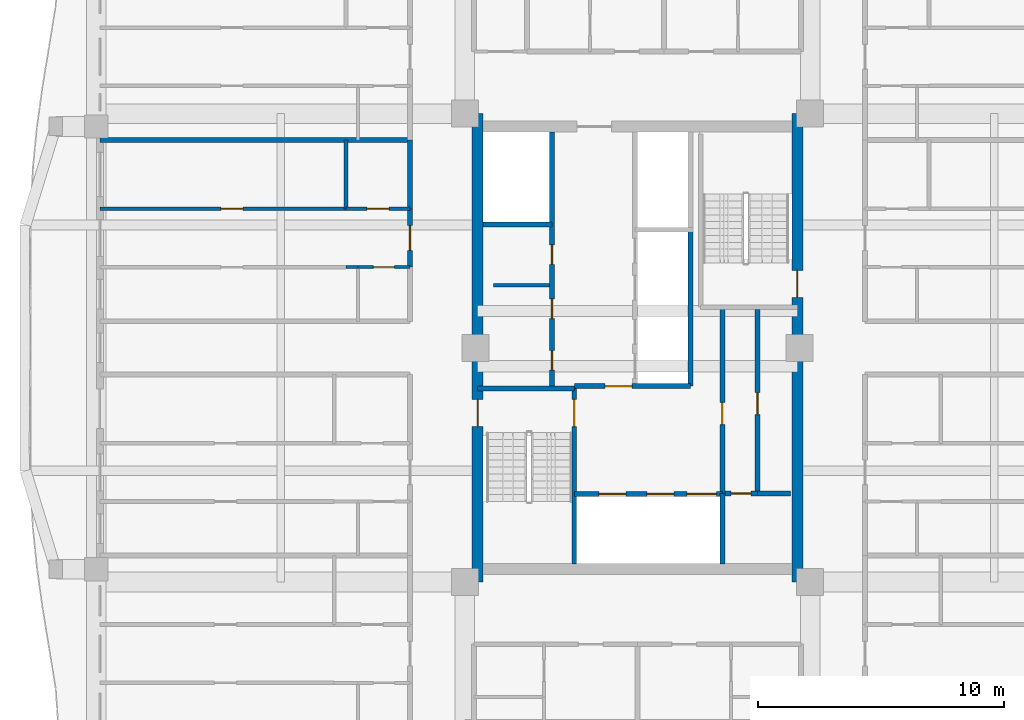
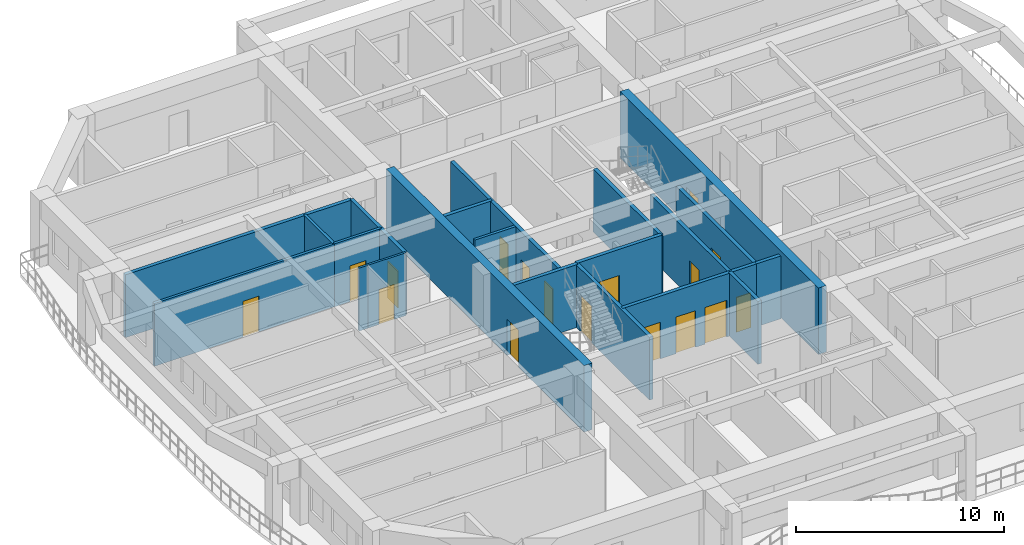
# One storey, part 4 of 15: 23 walls, 17 doors, 17 openings.
"""IFC4 building model written with IfcOpenShell, lengths in metres."""

import ifcopenshell
import ifcopenshell.guid

model = None  # the IFC model being written
_history = None  # IfcOwnerHistory: only IFC2X3 demands one
_inside = {}  # id of a spatial element -> (the spatial element, [elements in it])
_under = {}  # id of a project, library or spatial element -> (it, [spatial elements below it])
_declared = {}  # id of a project -> (the project, [libraries it declares])
_typed = {}  # id of a type object -> (the type object, [elements of that type])
_made_of = {}  # id of a material, layer set ... -> (it, [elements and type objects made of it])


def new_model(schema):
    """Start an empty IFC model of exactly this schema.

    Asked for "IFC4X3", IfcOpenShell would pick the latest addendum, in which some entities
    have other attributes; the version numbers below select the first issue.
    IFC2X3 requires an IfcOwnerHistory on every rooted entity: one is made here for all.
    """
    global model, _history
    if schema == "IFC4X3":
        model = ifcopenshell.file(schema_version=(4, 3, 0, 0))
    else:
        model = ifcopenshell.file(schema=schema)
    _inside.clear()
    _under.clear()
    _declared.clear()
    _typed.clear()
    _made_of.clear()
    _history = None
    if model.schema == "IFC2X3":
        org = make("IfcOrganization", Name="unknown")
        user = make(
            "IfcPersonAndOrganization",
            ThePerson=make("IfcPerson", FamilyName="unknown"),
            TheOrganization=org,
        )
        app = make(
            "IfcApplication",
            ApplicationDeveloper=org,
            Version="unknown",
            ApplicationFullName="unknown",
            ApplicationIdentifier="unknown",
        )
        _history = make(
            "IfcOwnerHistory",
            OwningUser=user,
            OwningApplication=app,
            ChangeAction="ADDED",
            CreationDate=0,
        )
    return model


def make(cls, **values):
    """One entity of the class cls with the attributes given. An attribute that is None is left unset."""
    return model.create_entity(
        cls, **{name: value for name, value in values.items() if value is not None}
    )


def rooted(cls, **values):
    """An entity with a GlobalId (a new one), such as an element, a storey or a relation."""
    return make(cls, GlobalId=ifcopenshell.guid.new(), OwnerHistory=_history, **values)


def si_unit(unit_type, name, prefix=None):
    """IfcSIUnit, for example si_unit("LENGTHUNIT", "METRE", prefix="MILLI")."""
    return make("IfcSIUnit", UnitType=unit_type, Prefix=prefix, Name=name)


def assignment(units):
    """IfcUnitAssignment: the units of a project."""
    return None if units is None else make("IfcUnitAssignment", Units=units)


def point(xyz):
    """IfcCartesianPoint."""
    return None if xyz is None else make("IfcCartesianPoint", Coordinates=xyz)


def direction(xyz):
    """IfcDirection."""
    return None if xyz is None else make("IfcDirection", DirectionRatios=xyz)


def frame(location, z_axis=None, x_axis=None):
    """IfcAxis2Placement3D, a coordinate frame: its origin and axes. An axis left out is left unset."""
    return make(
        "IfcAxis2Placement3D",
        Location=point(location),
        Axis=direction(z_axis),
        RefDirection=direction(x_axis),
    )


def frame_2d(location, x_axis=None):
    """IfcAxis2Placement2D, a coordinate frame in the plane: its origin and x axis."""
    return make(
        "IfcAxis2Placement2D", Location=point(location), RefDirection=direction(x_axis)
    )


def origin():
    """The frame at (0, 0, 0) with its axes left unset."""
    return frame((0.0, 0.0, 0.0))


def place(relative_to, where):
    """IfcLocalPlacement: puts the frame where relative to a parent placement (None: the world)."""
    return make(
        "IfcLocalPlacement", PlacementRelTo=relative_to, RelativePlacement=where
    )


def context(
    kind, dimensions, precision=None, world=None, true_north=None, identifier=None
):
    """IfcGeometricRepresentationContext, for example the 3D "Model" context."""
    return make(
        "IfcGeometricRepresentationContext",
        ContextIdentifier=identifier,
        ContextType=kind,
        CoordinateSpaceDimension=dimensions,
        Precision=precision,
        WorldCoordinateSystem=world,
        TrueNorth=true_north,
    )


def subcontext(parent, identifier, kind, view, scale=None):
    """IfcGeometricRepresentationSubContext, for example "Body" below "Model"."""
    return make(
        "IfcGeometricRepresentationSubContext",
        ContextIdentifier=identifier,
        ContextType=kind,
        ParentContext=parent,
        TargetScale=scale,
        TargetView=view,
    )


def project(units=None, contexts=None):
    """IfcProject with its units and contexts."""
    return rooted(
        "IfcProject",
        Name="project",
        RepresentationContexts=contexts,
        UnitsInContext=assignment(units),
    )


def spatial(cls, under=None, at=None, **own):
    """A site, building, storey or space (cls), placed at a placement, below another one or the project."""
    s = rooted(cls, ObjectPlacement=at, **own)
    if under is not None:
        _under.setdefault(under.id(), (under, []))[1].append(s)
    return s


def profile(cls, at=None, kind="AREA", **sizes):
    """A parametric profile (cls). Its sizes go by their IFC names, for example OverallWidth=200.0."""
    return make(cls, ProfileType=kind, Position=at, **sizes)


def rectangle(**sizes):
    """IfcRectangleProfileDef."""
    return profile("IfcRectangleProfileDef", **sizes)


def extrude(swept, where, along, depth):
    """IfcExtrudedAreaSolid: the profile swept, set in the frame where, extruded along a direction by depth."""
    return make(
        "IfcExtrudedAreaSolid",
        SweptArea=swept,
        Position=where,
        ExtrudedDirection=direction(along),
        Depth=depth,
    )


def shape(context_of_items, identifier, shape_type, items):
    """IfcShapeRepresentation: the items that make up one representation, for example the "Body"."""
    return make(
        "IfcShapeRepresentation",
        ContextOfItems=context_of_items,
        RepresentationIdentifier=identifier,
        RepresentationType=shape_type,
        Items=items,
    )


def source(mapping_origin, context_of_items, identifier, shape_type, items):
    """IfcRepresentationMap: a shape defined once, which mapped items show again and again."""
    return make(
        "IfcRepresentationMap",
        MappingOrigin=mapping_origin,
        MappedRepresentation=shape(context_of_items, identifier, shape_type, items),
    )


def transform(
    local_origin,
    x_axis=None,
    y_axis=None,
    z_axis=None,
    scale=None,
    scale2=None,
    scale3=None,
    uniform=True,
):
    """IfcCartesianTransformationOperator3D, or its non-uniform kind. x_axis, y_axis, z_axis: its Axis1, 2, 3."""
    if uniform:
        return make(
            "IfcCartesianTransformationOperator3D",
            Axis1=direction(x_axis),
            Axis2=direction(y_axis),
            LocalOrigin=point(local_origin),
            Scale=scale,
            Axis3=direction(z_axis),
        )
    return make(
        "IfcCartesianTransformationOperator3DnonUniform",
        Axis1=direction(x_axis),
        Axis2=direction(y_axis),
        LocalOrigin=point(local_origin),
        Scale=scale,
        Axis3=direction(z_axis),
        Scale2=scale2,
        Scale3=scale3,
    )


def mapped(mapping_source, mapping_target):
    """IfcMappedItem: shows the shape of a source again, moved by a transform."""
    return make(
        "IfcMappedItem", MappingSource=mapping_source, MappingTarget=mapping_target
    )


def material(Name=None, Category=None):
    """IfcMaterial."""
    return make("IfcMaterial", Name=Name, Category=Category)


def layer(
    of_material, thickness, ventilated=None, Name=None, Category=None, Priority=None
):
    """IfcMaterialLayer: one layer of a wall or slab, of a material (None: an air gap)."""
    return make(
        "IfcMaterialLayer",
        Material=of_material,
        LayerThickness=thickness,
        IsVentilated=ventilated,
        Name=Name,
        Category=Category,
        Priority=Priority,
    )


def layer_set(layers, Name=None):
    """IfcMaterialLayerSet."""
    return make("IfcMaterialLayerSet", MaterialLayers=layers, LayerSetName=Name)


def made_of(thing, what):
    """Note that an element or type object is made of a material, layer set ...; save() writes the relation."""
    if what is not None:
        _made_of.setdefault(what.id(), (what, []))[1].append(thing)
    return thing


def type_object(cls, material=None, **own):
    """A type object (cls), such as IfcWallType, which elements share."""
    return made_of(rooted(cls, **own), material)


def element(
    cls,
    number,
    at=None,
    inside=None,
    cuts=None,
    type_object=None,
    material=None,
    context=None,
    identifier="Body",
    shape_type=None,
    held_by="IfcProductDefinitionShape",
    body=None,
    shapes=None,
    **own,
):
    """One element of the class cls, such as IfcWall. Its Tag is "e" and its number.

    at: its placement. inside: the storey or other place that contains it. cuts: it is an
    opening in that element (IfcRelVoidsElement). A single representation is given by context,
    identifier, shape_type and body (its items); several are given by shapes. held_by: the class
    of the entity that holds the representations. save() writes the other relations.
    """
    e = rooted(cls, Tag="e%d" % number, ObjectPlacement=at, **own)
    if body is not None:
        shapes = [shape(context, identifier, shape_type, body)]
    if shapes is not None:
        e.Representation = make(held_by, Representations=shapes)
    if inside is not None:
        _inside.setdefault(inside.id(), (inside, []))[1].append(e)
    if cuts is not None:
        rooted(
            "IfcRelVoidsElement", RelatingBuildingElement=cuts, RelatedOpeningElement=e
        )
    if type_object is not None:
        _typed.setdefault(type_object.id(), (type_object, []))[1].append(e)
    return made_of(e, material)


def fill(opening, filler):
    """IfcRelFillsElement: the door or window that sits in an opening."""
    return rooted(
        "IfcRelFillsElement",
        RelatingOpeningElement=opening,
        RelatedBuildingElement=filler,
    )


def aggregate(whole, parts):
    """IfcRelAggregates: a whole, such as a stair, and the parts it consists of."""
    return rooted("IfcRelAggregates", RelatingObject=whole, RelatedObjects=parts)


def save(model, path):
    """Write the relations noted so far, then the file.

    IfcRelAggregates (storeys below a building ...), IfcRelContainedInSpatialStructure (elements
    in a storey), IfcRelDefinesByType, IfcRelAssociatesMaterial and IfcRelDeclares: one each for
    every whole, place, type object, material and project.
    """
    for whole, parts in _under.values():
        aggregate(whole, parts)
    for where, things in _inside.values():
        rooted(
            "IfcRelContainedInSpatialStructure",
            RelatedElements=things,
            RelatingStructure=where,
        )
    for kind, things in _typed.values():
        rooted("IfcRelDefinesByType", RelatedObjects=things, RelatingType=kind)
    for what, things in _made_of.values():
        rooted("IfcRelAssociatesMaterial", RelatedObjects=things, RelatingMaterial=what)
    for by, libraries in _declared.values():
        rooted("IfcRelDeclares", RelatingContext=by, RelatedDefinitions=libraries)
    model.write(path)


model = new_model("IFC4")

# Units and contexts
model_context = context("Model", 3, precision=1e-05, world=origin(), true_north=direction((0.0, 1.0)))
body_context = subcontext(model_context, "Body", "Model", "MODEL_VIEW")
ifc_project = project(units=[si_unit("LENGTHUNIT", "METRE"), si_unit("AREAUNIT", "SQUARE_METRE"), si_unit("VOLUMEUNIT", "CUBIC_METRE"), si_unit("PLANEANGLEUNIT", "RADIAN"), si_unit("MASSUNIT", "GRAM", prefix="KILO")], contexts=[model_context])

# Site, building, storey
site_placement = place(None, origin())
site = spatial("IfcSite", under=ifc_project, at=site_placement, CompositionType="ELEMENT")
building_placement = place(site_placement, origin())
building = spatial("IfcBuilding", under=site, at=building_placement, Name="Saelheon Loggia Tower", CompositionType="ELEMENT")
storey_placement = place(building_placement, frame((0.0, 0.0, 159.10009765625)))
storey = spatial("IfcBuildingStorey", under=building, at=storey_placement, Name="L50", CompositionType="ELEMENT", Elevation=159.10009765625)

# Wall, opening, door
ifc_material_1 = material(Name="Concrete C45/55", Category="concrete")
ifc_layer_1 = layer(ifc_material_1, 0.449951171875)
ifc_layer_set_1 = layer_set([ifc_layer_1], Name="Concrete C45/55")
wall_type_1 = type_object("IfcWallType", Name="Wall_CoreShear_450", PredefinedType="SHEAR", material=ifc_layer_set_1)
wall_1_placement = place(storey_placement, frame((31.5, 17.47998046875, 0.0), z_axis=(0.0, 0.0, 1.0), x_axis=(0.0, 1.0, 0.0)))
wall_1 = element("IfcWall", 1, at=wall_1_placement, inside=storey, type_object=wall_type_1, Name="L50 Core Shear Wall West", PredefinedType="SHEAR", context=body_context, shape_type="SweptSolid", body=[
    extrude(rectangle(XDim=19.0400390625, YDim=0.449951171875, at=frame_2d((9.52001953125, 0.0))), origin(), (0.0, 0.0, 1.0), 3.89990234375),
])
opening_1_placement = place(wall_1_placement, frame((6.320068359375, 0.0, 0.0)))
opening_1 = element("IfcOpeningElement", 2, at=opening_1_placement, cuts=wall_1, Name="Opening D-FD2", PredefinedType="OPENING", context=body_context, shape_type="SweptSolid", body=[
    extrude(rectangle(XDim=1.10009765625, YDim=2.14990234375, at=frame_2d((0.550048828125, 1.074951171875))), frame((0.0, 0.237060546875, 0.0), z_axis=(0.0, -1.0, 0.0), x_axis=(1.0, 0.0, 0.0)), (0.0, 0.0, 1.0), 0.473876953125),
])
ifc_material_2 = material(Name="Galvanised Steel Fire Door", Category="steel")
door_type_1 = type_object("IfcDoorType", Name="Door_Fire_FD60_1100", OperationType="NOTDEFINED", PredefinedType="DOOR", material=ifc_material_2)
shared_shape_1 = source(origin(), body_context, "Body", "SweptSolid", [
    extrude(rectangle(XDim=1.10009765625, YDim=2.14990234375, at=frame_2d((0.550048828125, 1.074951171875))), frame((0.0, 0.02490234375, 0.0), z_axis=(0.0, -1.0, 0.0), x_axis=(1.0, 0.0, 0.0)), (0.0, 0.0, 1.0), 0.050048828125),
])
door_1_placement = place(opening_1_placement, origin())
door_1 = element("IfcDoor", 3, at=door_1_placement, inside=storey, type_object=door_type_1, Name="L50 Stair ST1 Corridor Door", OperationType="SINGLE_SWING_LEFT", OverallHeight=2.14990234375, OverallWidth=1.10009765625, PredefinedType="DOOR", context=body_context, shape_type="MappedRepresentation", body=[
    mapped(shared_shape_1, transform((0.0, 0.0, 0.0), scale=1.0)),
])
fill(opening_1, door_1)

wall_2_placement = place(storey_placement, frame((44.5, 17.47998046875, 0.0), z_axis=(0.0, 0.0, 1.0), x_axis=(0.0, 1.0, 0.0)))
wall_2 = element("IfcWall", 4, at=wall_2_placement, inside=storey, type_object=wall_type_1, Name="L50 Core Shear Wall East", PredefinedType="SHEAR", context=body_context, shape_type="SweptSolid", body=[
    extrude(rectangle(XDim=19.0400390625, YDim=0.449951171875, at=frame_2d((9.52001953125, 0.0))), origin(), (0.0, 0.0, 1.0), 3.89990234375),
])
opening_2_placement = place(wall_2_placement, frame((12.670166015625, 0.0, 0.0), z_axis=(0.0, 0.0, 1.0), x_axis=(-1.0, 0.0, 0.0)))
opening_2 = element("IfcOpeningElement", 5, at=opening_2_placement, cuts=wall_2, Name="Opening D-FD2", PredefinedType="OPENING", context=body_context, shape_type="SweptSolid", body=[
    extrude(rectangle(XDim=1.10009765625, YDim=2.14990234375, at=frame_2d((0.550048828125, 1.074951171875))), frame((0.0, 0.237060546875, 0.0), z_axis=(0.0, -1.0, 0.0), x_axis=(1.0, 0.0, 0.0)), (0.0, 0.0, 1.0), 0.473876953125),
])
door_2_placement = place(opening_2_placement, origin())
door_2 = element("IfcDoor", 6, at=door_2_placement, inside=storey, type_object=door_type_1, Name="L50 Stair ST2 Corridor Door", OperationType="SINGLE_SWING_RIGHT", OverallHeight=2.14990234375, OverallWidth=1.10009765625, PredefinedType="DOOR", context=body_context, shape_type="MappedRepresentation", body=[
    mapped(shared_shape_1, transform((0.0, 0.0, 0.0), scale=1.0)),
])
fill(opening_2, door_2)

# Walls
ifc_material_3 = material(Name="Lightweight Autoclaved Aerated Concrete Block and Acoustic Gypsum", Category="concrete")
ifc_layer_2 = layer(ifc_material_3, 0.14990234375)
ifc_layer_set_2 = layer_set([ifc_layer_2], Name="Lightweight Autoclaved Aerated Concrete Block and Acoustic Gypsum")
wall_type_2 = type_object("IfcWallType", Name="Wall_Part_150", PredefinedType="PARTITIONING", material=ifc_layer_set_2)
wall_3_placement = place(storey_placement, frame((32.14990234375, 29.550048828125, 0.0), z_axis=(0.0, 0.0, 1.0), x_axis=(1.0, 0.0, 0.0)))
element("IfcWall", 7, at=wall_3_placement, inside=storey, type_object=wall_type_2, Name="L50 Freed Core Partition PL1", PredefinedType="PARTITIONING", context=body_context, shape_type="SweptSolid", body=[
    extrude(rectangle(XDim=2.27001953125, YDim=0.14990234375, at=frame_2d((1.135009765625, 0.0))), origin(), (0.0, 0.0, 1.0), 3.68994140625),
])
wall_4_placement = place(storey_placement, frame((26.14990234375, 32.6494140625, 0.0), z_axis=(0.0, 0.0, 1.0), x_axis=(0.0, 1.0, 0.0)))
element("IfcWall", 8, at=wall_4_placement, inside=storey, type_object=wall_type_2, Name="L50 WN Partition V07", PredefinedType="PARTITIONING", context=body_context, shape_type="SweptSolid", body=[
    extrude(rectangle(XDim=2.800537109375, YDim=0.14990234375, at=frame_2d((1.400390625, 0.0))), origin(), (0.0, 0.0, 1.0), 3.68994140625),
])

# Wall, opening, door
wall_5_placement = place(storey_placement, frame((28.75, 32.6494140625, 0.0), z_axis=(0.0, 0.0, 1.0), x_axis=(-1.0, 0.0, 0.0)))
wall_5 = element("IfcWall", 9, at=wall_5_placement, inside=storey, type_object=wall_type_2, Name="L50 WN Partition U11", PredefinedType="PARTITIONING", context=body_context, shape_type="SweptSolid", body=[
    extrude(rectangle(XDim=2.60009765625, YDim=0.14990234375, at=frame_2d((1.300048828125, 0.0))), origin(), (0.0, 0.0, 1.0), 3.68994140625),
])
opening_3_placement = place(wall_5_placement, frame((0.85009765625, 0.0, 0.0)))
opening_3 = element("IfcOpeningElement", 10, at=opening_3_placement, cuts=wall_5, Name="Opening D-IN2", PredefinedType="OPENING", context=body_context, shape_type="SweptSolid", body=[
    extrude(rectangle(XDim=0.89990234375, YDim=2.10009765625, at=frame_2d((0.449951171875, 1.050048828125))), frame((0.0, 0.0869140625, 0.0), z_axis=(0.0, -1.0, 0.0), x_axis=(1.0, 0.0, 0.0)), (0.0, 0.0, 1.0), 0.173828125),
])
ifc_material_4 = material(Name="Engineered Oak Flush Door", Category="timber")
door_type_2 = type_object("IfcDoorType", Name="Door_Int_900", OperationType="NOTDEFINED", PredefinedType="DOOR", material=ifc_material_4)
shared_shape_2 = source(origin(), body_context, "Body", "SweptSolid", [
    extrude(rectangle(XDim=0.89990234375, YDim=2.10009765625, at=frame_2d((0.449951171875, 1.050048828125))), frame((0.0, 0.02490234375, 0.0), z_axis=(0.0, -1.0, 0.0), x_axis=(1.0, 0.0, 0.0)), (0.0, 0.0, 1.0), 0.050048828125),
])
door_3_placement = place(opening_3_placement, origin())
door_3 = element("IfcDoor", 11, at=door_3_placement, inside=storey, type_object=door_type_2, Name="Unit U07 Dressing Closet Door", OperationType="SINGLE_SWING_LEFT", OverallHeight=2.10009765625, OverallWidth=0.89990234375, PredefinedType="DOOR", context=body_context, shape_type="MappedRepresentation", body=[
    mapped(shared_shape_2, transform((0.0, 0.0, 0.0), scale=1.0)),
])
fill(opening_3, door_3)

wall_6_placement = place(storey_placement, frame((26.14990234375, 32.6494140625, 0.0), z_axis=(0.0, 0.0, 1.0), x_axis=(-1.0, 0.0, 0.0)))
wall_6 = element("IfcWall", 12, at=wall_6_placement, inside=storey, type_object=wall_type_2, Name="L50 WN Partition U12", PredefinedType="PARTITIONING", context=body_context, shape_type="SweptSolid", body=[
    extrude(rectangle(XDim=10.0, YDim=0.14990234375, at=frame_2d((5.0, 0.0))), origin(), (0.0, 0.0, 1.0), 3.68994140625),
])
opening_4_placement = place(wall_6_placement, frame((4.19091796875, 0.0, 0.0)))
opening_4 = element("IfcOpeningElement", 13, at=opening_4_placement, cuts=wall_6, Name="Opening D-IN2", PredefinedType="OPENING", context=body_context, shape_type="SweptSolid", body=[
    extrude(rectangle(XDim=0.89990234375, YDim=2.10009765625, at=frame_2d((0.449951171875, 1.050048828125))), frame((0.0, 0.0869140625, 0.0), z_axis=(0.0, -1.0, 0.0), x_axis=(1.0, 0.0, 0.0)), (0.0, 0.0, 1.0), 0.173828125),
])
door_4_placement = place(opening_4_placement, origin())
door_4 = element("IfcDoor", 14, at=door_4_placement, inside=storey, type_object=door_type_2, Name="Unit U07 Bedroom 1 Door", OperationType="SINGLE_SWING_RIGHT", OverallHeight=2.10009765625, OverallWidth=0.89990234375, PredefinedType="DOOR", context=body_context, shape_type="MappedRepresentation", body=[
    mapped(shared_shape_2, transform((0.0, 0.0, 0.0), scale=1.0)),
])
fill(opening_4, door_4)

ifc_material_5 = material(Name="Double Acoustic Stud and Fireboard Partition", Category="gypsum")
ifc_layer_3 = layer(ifc_material_5, 0.199951171875)
ifc_layer_set_3 = layer_set([ifc_layer_3], Name="Double Acoustic Stud and Fireboard Partition")
wall_type_3 = type_object("IfcWallType", Name="Wall_Party_200", PredefinedType="PARTITIONING", material=ifc_layer_set_3)
wall_7_placement = place(storey_placement, frame((28.75, 30.280029296875, 0.0), z_axis=(0.0, 0.0, 1.0), x_axis=(0.0, 1.0, 0.0)))
wall_7 = element("IfcWall", 15, at=wall_7_placement, inside=storey, type_object=wall_type_3, Name="L50 WN Partition V04", PredefinedType="PARTITIONING", context=body_context, shape_type="SweptSolid", body=[
    extrude(rectangle(XDim=2.369384765625, YDim=0.199951171875, at=frame_2d((1.1845703125, 0.0))), origin(), (0.0, 0.0, 1.0), 3.68994140625),
])
opening_5_placement = place(wall_7_placement, frame((0.684814453125, 0.0, 0.0)))
opening_5 = element("IfcOpeningElement", 16, at=opening_5_placement, cuts=wall_7, Name="Opening D-FD1", PredefinedType="OPENING", context=body_context, shape_type="SweptSolid", body=[
    extrude(rectangle(XDim=1.0, YDim=2.14990234375, at=frame_2d((0.5, 1.074951171875))), frame((0.0, 0.112060546875, 0.0), z_axis=(0.0, -1.0, 0.0), x_axis=(1.0, 0.0, 0.0)), (0.0, 0.0, 1.0), 0.223876953125),
])
ifc_material_6 = material(Name="Fire-Rated Engineered Timber Entrance Door", Category="wood")
door_type_3 = type_object("IfcDoorType", Name="Door_Flat_FD30S", OperationType="NOTDEFINED", PredefinedType="DOOR", material=ifc_material_6)
shared_shape_3 = source(origin(), body_context, "Body", "SweptSolid", [
    extrude(rectangle(XDim=1.0, YDim=2.14990234375, at=frame_2d((0.5, 1.074951171875))), frame((0.0, 0.02490234375, 0.0), z_axis=(0.0, -1.0, 0.0), x_axis=(1.0, 0.0, 0.0)), (0.0, 0.0, 1.0), 0.050048828125),
])
door_5_placement = place(opening_5_placement, origin())
door_5 = element("IfcDoor", 17, at=door_5_placement, inside=storey, type_object=door_type_3, Name="Unit U07 Entrance Door", OperationType="SINGLE_SWING_RIGHT", OverallHeight=2.14990234375, OverallWidth=1.0, PredefinedType="DOOR", context=body_context, shape_type="MappedRepresentation", body=[
    mapped(shared_shape_3, transform((0.0, 0.0, 0.0), scale=1.0)),
])
fill(opening_5, door_5)

# Walls
wall_8_placement = place(storey_placement, frame((28.75, 32.6494140625, 0.0), z_axis=(0.0, 0.0, 1.0), x_axis=(0.0, 1.0, 0.0)))
element("IfcWall", 18, at=wall_8_placement, inside=storey, type_object=wall_type_3, Name="L50 WN Partition V05", PredefinedType="PARTITIONING", context=body_context, shape_type="SweptSolid", body=[
    extrude(rectangle(XDim=2.800537109375, YDim=0.199951171875, at=frame_2d((1.400390625, 0.0))), origin(), (0.0, 0.0, 1.0), 3.68994140625),
])
wall_9_placement = place(storey_placement, frame((28.75, 35.449951171875, 0.0), z_axis=(0.0, 0.0, 1.0), x_axis=(-1.0, 0.0, 0.0)))
element("IfcWall", 19, at=wall_9_placement, inside=storey, type_object=wall_type_3, Name="L50 WN Partition U13", PredefinedType="PARTITIONING", context=body_context, shape_type="SweptSolid", body=[
    extrude(rectangle(XDim=12.60009765625, YDim=0.199951171875, at=frame_2d((6.300048828125, 0.0))), origin(), (0.0, 0.0, 1.0), 3.68994140625),
])

# Wall, opening, door
ifc_material_7 = material(Name="Concrete C40/50", Category="concrete")
ifc_layer_4 = layer(ifc_material_7, 0.199951171875)
ifc_layer_set_4 = layer_set([ifc_layer_4], Name="Concrete C40/50")
wall_type_4 = type_object("IfcWallType", Name="Wall_Shaft_200", PredefinedType="PARTITIONING", material=ifc_layer_set_4)
wall_10_placement = place(storey_placement, frame((41.550048828125, 21.080078125, 0.0), z_axis=(0.0, 0.0, 1.0), x_axis=(1.0, 0.0, 0.0)))
wall_10 = element("IfcWall", 20, at=wall_10_placement, inside=storey, type_object=wall_type_4, Name="CW-BOH-L50-HS", PredefinedType="PARTITIONING", context=body_context, shape_type="SweptSolid", body=[
    extrude(rectangle(XDim=1.329833984375, YDim=0.199951171875, at=frame_2d((0.6650390625, 0.0))), origin(), (0.0, 0.0, 1.0), 3.68994140625),
])
opening_6_placement = place(wall_10_placement, frame((0.260009765625, 0.0, 0.0)))
opening_6 = element("IfcOpeningElement", 21, at=opening_6_placement, cuts=wall_10, Name="Opening D-ST1", PredefinedType="OPENING", context=body_context, shape_type="SweptSolid", body=[
    extrude(rectangle(XDim=0.800048828125, YDim=2.050048828125, at=frame_2d((0.39990234375, 1.02490234375))), frame((0.0, 0.112060546875, 0.0), z_axis=(0.0, -1.0, 0.0), x_axis=(1.0, 0.0, 0.0)), (0.0, 0.0, 1.0), 0.223876953125),
])
ifc_material_8 = material(Name="Powder-Coated Steel Store Door", Category="steel")
door_type_4 = type_object("IfcDoorType", Name="Door_Store_800", OperationType="NOTDEFINED", PredefinedType="DOOR", material=ifc_material_8)
shared_shape_4 = source(origin(), body_context, "Body", "SweptSolid", [
    extrude(rectangle(XDim=0.800048828125, YDim=2.050048828125, at=frame_2d((0.39990234375, 1.02490234375))), frame((0.0, 0.02490234375, 0.0), z_axis=(0.0, -1.0, 0.0), x_axis=(1.0, 0.0, 0.0)), (0.0, 0.0, 1.0), 0.050048828125),
])
door_6_placement = place(opening_6_placement, origin())
door_6 = element("IfcDoor", 22, at=door_6_placement, inside=storey, type_object=door_type_4, Name="L50 Electrical Riser Door", OperationType="SINGLE_SWING_LEFT", OverallHeight=2.050048828125, OverallWidth=0.800048828125, PredefinedType="DOOR", context=body_context, shape_type="MappedRepresentation", body=[
    mapped(shared_shape_4, transform((0.0, 0.0, 0.0), scale=1.0)),
])
fill(opening_6, door_6)

# Wall
wall_11_placement = place(storey_placement, frame((42.8798828125, 21.080078125, 0.0), z_axis=(0.0, 0.0, 1.0), x_axis=(1.0, 0.0, 0.0)))
element("IfcWall", 23, at=wall_11_placement, inside=storey, type_object=wall_type_4, Name="CW-BOH-L50-HS2", PredefinedType="PARTITIONING", context=body_context, shape_type="SweptSolid", body=[
    extrude(rectangle(XDim=1.340087890625, YDim=0.199951171875, at=frame_2d((0.669921875, 0.0))), origin(), (0.0, 0.0, 1.0), 3.68994140625),
])

# Wall, opening, door
wall_12_placement = place(storey_placement, frame((42.8798828125, 21.080078125, 0.0), z_axis=(0.0, 0.0, 1.0), x_axis=(0.0, 1.0, 0.0)))
wall_12 = element("IfcWall", 24, at=wall_12_placement, inside=storey, type_object=wall_type_4, Name="CW-BOH-L50-VS", PredefinedType="PARTITIONING", context=body_context, shape_type="SweptSolid", body=[
    extrude(rectangle(XDim=7.469970703125, YDim=0.199951171875, at=frame_2d((3.73486328125, 0.0))), origin(), (0.0, 0.0, 1.0), 3.68994140625),
])
opening_7_placement = place(wall_12_placement, frame((3.199951171875, 0.0, 0.0)))
opening_7 = element("IfcOpeningElement", 25, at=opening_7_placement, cuts=wall_12, Name="Opening D-RS1", PredefinedType="OPENING", context=body_context, shape_type="SweptSolid", body=[
    extrude(rectangle(XDim=0.89990234375, YDim=2.10009765625, at=frame_2d((0.449951171875, 1.050048828125))), frame((0.0, 0.112060546875, 0.0), z_axis=(0.0, -1.0, 0.0), x_axis=(1.0, 0.0, 0.0)), (0.0, 0.0, 1.0), 0.223876953125),
])
ifc_material_9 = material(Name="Galvanised Steel Riser Access Door", Category="steel")
door_type_5 = type_object("IfcDoorType", Name="Door_Riser_FD60", OperationType="NOTDEFINED", PredefinedType="DOOR", material=ifc_material_9)
door_7_placement = place(opening_7_placement, origin())
door_7 = element("IfcDoor", 26, at=door_7_placement, inside=storey, type_object=door_type_5, Name="L50 Linen Store Door", OperationType="SINGLE_SWING_RIGHT", OverallHeight=2.10009765625, OverallWidth=0.89990234375, PredefinedType="DOOR", context=body_context, shape_type="MappedRepresentation", body=[
    mapped(shared_shape_2, transform((0.0, 0.0, 0.0), scale=1.0)),
])
fill(opening_7, door_7)

# Wall
wall_13_placement = place(storey_placement, frame((41.449951171875, 18.219970703125, 0.0), z_axis=(0.0, 0.0, 1.0), x_axis=(0.0, 1.0, 0.0)))
element("IfcWall", 27, at=wall_13_placement, inside=storey, type_object=wall_type_4, Name="CW-INT-L50-BOH-W0", PredefinedType="PARTITIONING", context=body_context, shape_type="SweptSolid", body=[
    extrude(rectangle(XDim=2.860107421875, YDim=0.199951171875, at=frame_2d((1.43017578125, 0.0))), origin(), (0.0, 0.0, 1.0), 3.68994140625),
])

# Wall, opening, door
wall_14_placement = place(storey_placement, frame((41.449951171875, 21.080078125, 0.0), z_axis=(0.0, 0.0, 1.0), x_axis=(0.0, 1.0, 0.0)))
wall_14 = element("IfcWall", 28, at=wall_14_placement, inside=storey, type_object=wall_type_4, Name="CW-INT-L50-BOH-W1", PredefinedType="PARTITIONING", context=body_context, shape_type="SweptSolid", body=[
    extrude(rectangle(XDim=7.52001953125, YDim=0.199951171875, at=frame_2d((3.760009765625, 0.0))), origin(), (0.0, 0.0, 1.0), 3.68994140625),
])
opening_8_placement = place(wall_14_placement, frame((2.800048828125, 0.0, 0.0)))
opening_8 = element("IfcOpeningElement", 29, at=opening_8_placement, cuts=wall_14, Name="Opening D-RS1", PredefinedType="OPENING", context=body_context, shape_type="SweptSolid", body=[
    extrude(rectangle(XDim=0.89990234375, YDim=2.10009765625, at=frame_2d((0.449951171875, 1.050048828125))), frame((0.0, 0.112060546875, 0.0), z_axis=(0.0, -1.0, 0.0), x_axis=(1.0, 0.0, 0.0)), (0.0, 0.0, 1.0), 0.223876953125),
])
door_8_placement = place(opening_8_placement, origin())
door_8 = element("IfcDoor", 30, at=door_8_placement, inside=storey, type_object=door_type_5, Name="L50 Service Store Door", OperationType="SINGLE_SWING_LEFT", OverallHeight=2.10009765625, OverallWidth=0.89990234375, PredefinedType="DOOR", context=body_context, shape_type="MappedRepresentation", body=[
    mapped(shared_shape_2, transform((0.0, 0.0, 0.0), scale=1.0)),
])
fill(opening_8, door_8)

# Wall
wall_15_placement = place(storey_placement, frame((40.14990234375, 25.43994140625, 0.0), z_axis=(0.0, 0.0, 1.0), x_axis=(0.0, 1.0, 0.0)))
element("IfcWall", 31, at=wall_15_placement, inside=storey, type_object=wall_type_4, Name="L50 Core Service Passage West Wall", PredefinedType="PARTITIONING", context=body_context, shape_type="SweptSolid", body=[
    extrude(rectangle(XDim=6.360107421875, YDim=0.199951171875, at=frame_2d((3.18017578125, 0.0))), origin(), (0.0, 0.0, 1.0), 3.68994140625),
])

# Wall, openings, doors
wall_16_placement = place(storey_placement, frame((35.429931640625, 21.06005859375, 0.0), z_axis=(0.0, 0.0, 1.0), x_axis=(1.0, 0.0, 0.0)))
wall_16 = element("IfcWall", 32, at=wall_16_placement, inside=storey, type_object=wall_type_4, Name="L50 Firefighting Lift Shaft Front Wall", PredefinedType="PARTITIONING", context=body_context, shape_type="SweptSolid", body=[
    extrude(rectangle(XDim=6.02001953125, YDim=0.199951171875, at=frame_2d((3.010009765625, 0.0))), origin(), (0.0, 0.0, 1.0), 3.68994140625),
])
opening_9_placement = place(wall_16_placement, frame((1.0, 0.0, 0.0)))
opening_9 = element("IfcOpeningElement", 33, at=opening_9_placement, cuts=wall_16, Name="Opening LD2", PredefinedType="OPENING", context=body_context, shape_type="SweptSolid", body=[
    extrude(rectangle(XDim=1.10009765625, YDim=2.14990234375, at=frame_2d((0.550048828125, 1.074951171875))), frame((0.0, 0.112060546875, 0.0), z_axis=(0.0, -1.0, 0.0), x_axis=(1.0, 0.0, 0.0)), (0.0, 0.0, 1.0), 0.223876953125),
])
opening_10_placement = place(wall_16_placement, frame((2.949951171875, 0.0, 0.0)))
opening_10 = element("IfcOpeningElement", 34, at=opening_10_placement, cuts=wall_16, Name="Opening LD2", PredefinedType="OPENING", context=body_context, shape_type="SweptSolid", body=[
    extrude(rectangle(XDim=1.10009765625, YDim=2.14990234375, at=frame_2d((0.550048828125, 1.074951171875))), frame((0.0, 0.112060546875, 0.0), z_axis=(0.0, -1.0, 0.0), x_axis=(1.0, 0.0, 0.0)), (0.0, 0.0, 1.0), 0.223876953125),
])
opening_11_placement = place(wall_16_placement, frame((4.580078125, 0.0, 0.0)))
opening_11 = element("IfcOpeningElement", 35, at=opening_11_placement, cuts=wall_16, Name="Opening LD3", PredefinedType="OPENING", context=body_context, shape_type="SweptSolid", body=[
    extrude(rectangle(XDim=1.199951171875, YDim=2.14990234375, at=frame_2d((0.60009765625, 1.074951171875))), frame((0.0, 0.112060546875, 0.0), z_axis=(0.0, -1.0, 0.0), x_axis=(1.0, 0.0, 0.0)), (0.0, 0.0, 1.0), 0.223876953125),
])
ifc_material_10 = material(Name="Firefighting Stainless Steel 316 Landing Door", Category="steel")
door_type_6 = type_object("IfcDoorType", Name="Door_Lift_LD2", OperationType="DOUBLE_DOOR_SLIDING", PredefinedType="DOOR", material=ifc_material_10)
door_9_placement = place(opening_9_placement, origin())
door_9 = element("IfcDoor", 36, at=door_9_placement, inside=storey, type_object=door_type_6, Name="L50 FF1 Landing Door", OperationType="DOUBLE_DOOR_SLIDING", OverallHeight=2.14990234375, OverallWidth=1.10009765625, PredefinedType="DOOR", context=body_context, shape_type="MappedRepresentation", body=[
    mapped(shared_shape_1, transform((0.0, 0.0, 0.0), scale=1.0)),
])
fill(opening_9, door_9)
door_10_placement = place(opening_10_placement, origin())
door_10 = element("IfcDoor", 37, at=door_10_placement, inside=storey, type_object=door_type_6, Name="L50 FF2 Landing Door", OperationType="DOUBLE_DOOR_SLIDING", OverallHeight=2.14990234375, OverallWidth=1.10009765625, PredefinedType="DOOR", context=body_context, shape_type="MappedRepresentation", body=[
    mapped(shared_shape_1, transform((0.0, 0.0, 0.0), scale=1.0)),
])
fill(opening_10, door_10)
ifc_material_11 = material(Name="Stretcher Lift Stainless Steel 304 Landing Door", Category="steel")
door_type_7 = type_object("IfcDoorType", Name="Door_Lift_LD3", OperationType="DOUBLE_DOOR_SLIDING", PredefinedType="DOOR", material=ifc_material_11)
shared_shape_5 = source(origin(), body_context, "Body", "SweptSolid", [
    extrude(rectangle(XDim=1.199951171875, YDim=2.14990234375, at=frame_2d((0.60009765625, 1.074951171875))), frame((0.0, 0.02490234375, 0.0), z_axis=(0.0, -1.0, 0.0), x_axis=(1.0, 0.0, 0.0)), (0.0, 0.0, 1.0), 0.050048828125),
])
door_11_placement = place(opening_11_placement, origin())
door_11 = element("IfcDoor", 38, at=door_11_placement, inside=storey, type_object=door_type_7, Name="L50 SV1 Landing Door", OperationType="DOUBLE_DOOR_SLIDING", OverallHeight=2.14990234375, OverallWidth=1.199951171875, PredefinedType="DOOR", context=body_context, shape_type="MappedRepresentation", body=[
    mapped(shared_shape_5, transform((0.0, 0.0, 0.0), scale=1.0)),
])
fill(opening_11, door_11)

# Wall, opening, door
wall_17_placement = place(storey_placement, frame((35.429931640625, 25.43994140625, 0.0), z_axis=(0.0, 0.0, 1.0), x_axis=(1.0, 0.0, 0.0)))
wall_17 = element("IfcWall", 39, at=wall_17_placement, inside=storey, type_object=wall_type_4, Name="L50 Firefighting Lobby Compartment Wall", PredefinedType="PARTITIONING", context=body_context, shape_type="SweptSolid", body=[
    extrude(rectangle(XDim=4.719970703125, YDim=0.199951171875, at=frame_2d((2.35986328125, 0.0))), origin(), (0.0, 0.0, 1.0), 3.68994140625),
])
opening_12_placement = place(wall_17_placement, frame((1.25, 0.0, 0.0)))
opening_12 = element("IfcOpeningElement", 40, at=opening_12_placement, cuts=wall_17, Name="Opening D-FD2", PredefinedType="OPENING", context=body_context, shape_type="SweptSolid", body=[
    extrude(rectangle(XDim=1.10009765625, YDim=2.14990234375, at=frame_2d((0.550048828125, 1.074951171875))), frame((0.0, 0.112060546875, 0.0), z_axis=(0.0, -1.0, 0.0), x_axis=(1.0, 0.0, 0.0)), (0.0, 0.0, 1.0), 0.223876953125),
])
door_12_placement = place(opening_12_placement, origin())
door_12 = element("IfcDoor", 41, at=door_12_placement, inside=storey, type_object=door_type_1, Name="L50 Firefighting Lobby Door", OperationType="SINGLE_SWING_RIGHT", OverallHeight=2.14990234375, OverallWidth=1.10009765625, PredefinedType="DOOR", context=body_context, shape_type="MappedRepresentation", body=[
    mapped(shared_shape_1, transform((0.0, 0.0, 0.0), scale=1.0)),
])
fill(opening_12, door_12)

# Wall, openings, doors
wall_18_placement = place(storey_placement, frame((34.52001953125, 25.43994140625, 0.0), z_axis=(0.0, 0.0, 1.0), x_axis=(0.0, 1.0, 0.0)))
wall_18 = element("IfcWall", 42, at=wall_18_placement, inside=storey, type_object=wall_type_4, Name="L50 West Passenger Lift Bank Wall", PredefinedType="PARTITIONING", context=body_context, shape_type="SweptSolid", body=[
    extrude(rectangle(XDim=10.340087890625, YDim=0.199951171875, at=frame_2d((5.169921875, 0.0))), origin(), (0.0, 0.0, 1.0), 3.68994140625),
])
opening_13_placement = place(wall_18_placement, frame((0.64990234375, 0.0, 0.0)))
opening_13 = element("IfcOpeningElement", 43, at=opening_13_placement, cuts=wall_18, Name="Opening D-ST1", PredefinedType="OPENING", context=body_context, shape_type="SweptSolid", body=[
    extrude(rectangle(XDim=0.800048828125, YDim=2.050048828125, at=frame_2d((0.39990234375, 1.02490234375))), frame((0.0, 0.112060546875, 0.0), z_axis=(0.0, -1.0, 0.0), x_axis=(1.0, 0.0, 0.0)), (0.0, 0.0, 1.0), 0.223876953125),
])
opening_14_placement = place(wall_18_placement, frame((2.75, 0.0, 0.0)))
opening_14 = element("IfcOpeningElement", 44, at=opening_14_placement, cuts=wall_18, Name="Opening D-ST1", PredefinedType="OPENING", context=body_context, shape_type="SweptSolid", body=[
    extrude(rectangle(XDim=0.800048828125, YDim=2.050048828125, at=frame_2d((0.39990234375, 1.02490234375))), frame((0.0, 0.112060546875, 0.0), z_axis=(0.0, -1.0, 0.0), x_axis=(1.0, 0.0, 0.0)), (0.0, 0.0, 1.0), 0.223876953125),
])
opening_15_placement = place(wall_18_placement, frame((4.949951171875, 0.0, 0.0)))
opening_15 = element("IfcOpeningElement", 45, at=opening_15_placement, cuts=wall_18, Name="Opening D-ST1", PredefinedType="OPENING", context=body_context, shape_type="SweptSolid", body=[
    extrude(rectangle(XDim=0.800048828125, YDim=2.050048828125, at=frame_2d((0.39990234375, 1.02490234375))), frame((0.0, 0.112060546875, 0.0), z_axis=(0.0, -1.0, 0.0), x_axis=(1.0, 0.0, 0.0)), (0.0, 0.0, 1.0), 0.223876953125),
])
door_13_placement = place(opening_13_placement, origin())
door_13 = element("IfcDoor", 46, at=door_13_placement, inside=storey, type_object=door_type_4, Name="L50 Telecom Store Door", OperationType="SINGLE_SWING_RIGHT", OverallHeight=2.050048828125, OverallWidth=0.800048828125, PredefinedType="DOOR", context=body_context, shape_type="MappedRepresentation", body=[
    mapped(shared_shape_4, transform((0.0, 0.0, 0.0), scale=1.0)),
])
fill(opening_13, door_13)
door_14_placement = place(opening_14_placement, origin())
door_14 = element("IfcDoor", 47, at=door_14_placement, inside=storey, type_object=door_type_4, Name="L50 Linen Closet Door", OperationType="SINGLE_SWING_LEFT", OverallHeight=2.050048828125, OverallWidth=0.800048828125, PredefinedType="DOOR", context=body_context, shape_type="MappedRepresentation", body=[
    mapped(shared_shape_4, transform((0.0, 0.0, 0.0), scale=1.0)),
])
fill(opening_14, door_14)
door_15_placement = place(opening_15_placement, origin())
door_15 = element("IfcDoor", 48, at=door_15_placement, inside=storey, type_object=door_type_4, Name="L50 Metering Store Door", OperationType="SINGLE_SWING_RIGHT", OverallHeight=2.050048828125, OverallWidth=0.800048828125, PredefinedType="DOOR", context=body_context, shape_type="MappedRepresentation", body=[
    mapped(shared_shape_4, transform((0.0, 0.0, 0.0), scale=1.0)),
])
fill(opening_15, door_15)

# Wall
wall_19_placement = place(storey_placement, frame((31.719970703125, 32.02001953125, 0.0), z_axis=(0.0, 0.0, 1.0), x_axis=(1.0, 0.0, 0.0)))
element("IfcWall", 49, at=wall_19_placement, inside=storey, type_object=wall_type_4, Name="L50 West High-Rise Shaft Divider", PredefinedType="PARTITIONING", context=body_context, shape_type="SweptSolid", body=[
    extrude(rectangle(XDim=2.800048828125, YDim=0.199951171875, at=frame_2d((1.39990234375, 0.0))), origin(), (0.0, 0.0, 1.0), 3.68994140625),
])

# Wall, opening, door
ifc_layer_5 = layer(ifc_material_1, 0.199951171875)
ifc_layer_set_5 = layer_set([ifc_layer_5], Name="Concrete C45/55")
wall_type_5 = type_object("IfcWallType", Name="Wall_StairShaft_RC200", PredefinedType="SOLIDWALL", material=ifc_layer_set_5)
wall_20_placement = place(storey_placement, frame((35.429931640625, 18.219970703125, 0.0), z_axis=(0.0, 0.0, 1.0), x_axis=(0.0, 1.0, 0.0)))
wall_20 = element("IfcWall", 50, at=wall_20_placement, inside=storey, type_object=wall_type_5, Name="L50 Stair ST1 Shaft Wall", PredefinedType="SOLIDWALL", context=body_context, shape_type="SweptSolid", body=[
    extrude(rectangle(XDim=7.219970703125, YDim=0.199951171875, at=frame_2d((3.60986328125, 0.0))), origin(), (0.0, 0.0, 1.0), 3.68994140625),
])
opening_16_placement = place(wall_20_placement, frame((6.68017578125, 0.0, 0.0), z_axis=(0.0, 0.0, 1.0), x_axis=(-1.0, 0.0, 0.0)))
opening_16 = element("IfcOpeningElement", 51, at=opening_16_placement, cuts=wall_20, Name="Opening D-FD2", PredefinedType="OPENING", context=body_context, shape_type="SweptSolid", body=[
    extrude(rectangle(XDim=1.10009765625, YDim=2.14990234375, at=frame_2d((0.550048828125, 1.074951171875))), frame((0.0, 0.112060546875, 0.0), z_axis=(0.0, -1.0, 0.0), x_axis=(1.0, 0.0, 0.0)), (0.0, 0.0, 1.0), 0.223876953125),
])
door_16_placement = place(opening_16_placement, origin())
door_16 = element("IfcDoor", 52, at=door_16_placement, inside=storey, type_object=door_type_1, Name="L50 Stair ST1 Lobby Door", OperationType="SINGLE_SWING_LEFT", OverallHeight=2.14990234375, OverallWidth=1.10009765625, PredefinedType="DOOR", context=body_context, shape_type="MappedRepresentation", body=[
    mapped(shared_shape_1, transform((0.0, 0.0, 0.0), scale=1.0)),
])
fill(opening_16, door_16)

# Wall
wall_21_placement = place(storey_placement, frame((31.5, 25.35009765625, 0.0), z_axis=(0.0, 0.0, 1.0), x_axis=(1.0, 0.0, 0.0)))
element("IfcWall", 53, at=wall_21_placement, inside=storey, type_object=wall_type_5, Name="L50 Stair ST1 North Wall", PredefinedType="SOLIDWALL", context=body_context, shape_type="SweptSolid", body=[
    extrude(rectangle(XDim=3.929931640625, YDim=0.199951171875, at=frame_2d((1.96484375, 0.0))), origin(), (0.0, 0.0, 1.0), 3.68994140625),
])

# Wall, opening, door
ifc_material_12 = material(Name="Moisture-Resistant Cement Board Partition", Category="gypsum")
ifc_layer_6 = layer(ifc_material_12, 0.1201171875)
ifc_layer_set_6 = layer_set([ifc_layer_6], Name="Moisture-Resistant Cement Board Partition")
wall_type_6 = type_object("IfcWallType", Name="Wall_WetPart_120", PredefinedType="PARTITIONING", material=ifc_layer_set_6)
wall_22_placement = place(storey_placement, frame((28.75, 30.280029296875, 0.0), z_axis=(0.0, 0.0, 1.0), x_axis=(-1.0, 0.0, 0.0)))
wall_22 = element("IfcWall", 54, at=wall_22_placement, inside=storey, type_object=wall_type_6, Name="L50 WN Partition U08", PredefinedType="PARTITIONING", context=body_context, shape_type="SweptSolid", body=[
    extrude(rectangle(XDim=2.1201171875, YDim=0.1201171875, at=frame_2d((1.06005859375, 0.0))), origin(), (0.0, 0.0, 1.0), 3.68994140625),
])
opening_17_placement = place(wall_22_placement, frame((0.635009765625, 0.0, 0.0)))
opening_17 = element("IfcOpeningElement", 55, at=opening_17_placement, cuts=wall_22, Name="Opening D-BT1", PredefinedType="OPENING", context=body_context, shape_type="SweptSolid", body=[
    extrude(rectangle(XDim=0.85009765625, YDim=2.050048828125, at=frame_2d((0.425048828125, 1.02490234375))), frame((0.0, 0.072021484375, 0.0), z_axis=(0.0, -1.0, 0.0), x_axis=(1.0, 0.0, 0.0)), (0.0, 0.0, 1.0), 0.14404296875),
])
ifc_material_13 = material(Name="Moisture-Resistant Laminate Timber Door", Category="wood")
door_type_8 = type_object("IfcDoorType", Name="Door_Bath_850", OperationType="NOTDEFINED", PredefinedType="DOOR", material=ifc_material_13)
shared_shape_6 = source(origin(), body_context, "Body", "SweptSolid", [
    extrude(rectangle(XDim=0.85009765625, YDim=2.050048828125, at=frame_2d((0.425048828125, 1.02490234375))), frame((0.0, 0.02490234375, 0.0), z_axis=(0.0, -1.0, 0.0), x_axis=(1.0, 0.0, 0.0)), (0.0, 0.0, 1.0), 0.050048828125),
])
door_17_placement = place(opening_17_placement, origin())
door_17 = element("IfcDoor", 56, at=door_17_placement, inside=storey, type_object=door_type_8, Name="Unit U07 Bathroom Door", OperationType="SINGLE_SWING_LEFT", OverallHeight=2.050048828125, OverallWidth=0.85009765625, PredefinedType="DOOR", context=body_context, shape_type="MappedRepresentation", body=[
    mapped(shared_shape_6, transform((0.0, 0.0, 0.0), scale=1.0)),
])
fill(opening_17, door_17)

# Wall
wall_23_placement = place(storey_placement, frame((26.6298828125, 30.280029296875, 0.0), z_axis=(0.0, 0.0, 1.0), x_axis=(-1.0, 0.0, 0.0)))
element("IfcWall", 57, at=wall_23_placement, inside=storey, type_object=wall_type_6, Name="L50 WN Partition U09", PredefinedType="PARTITIONING", context=body_context, shape_type="SweptSolid", body=[
    extrude(rectangle(XDim=0.47998046875, YDim=0.1201171875, at=frame_2d((0.239990234375, 0.0))), origin(), (0.0, 0.0, 1.0), 3.68994140625),
])

save(model, "model.ifc")
